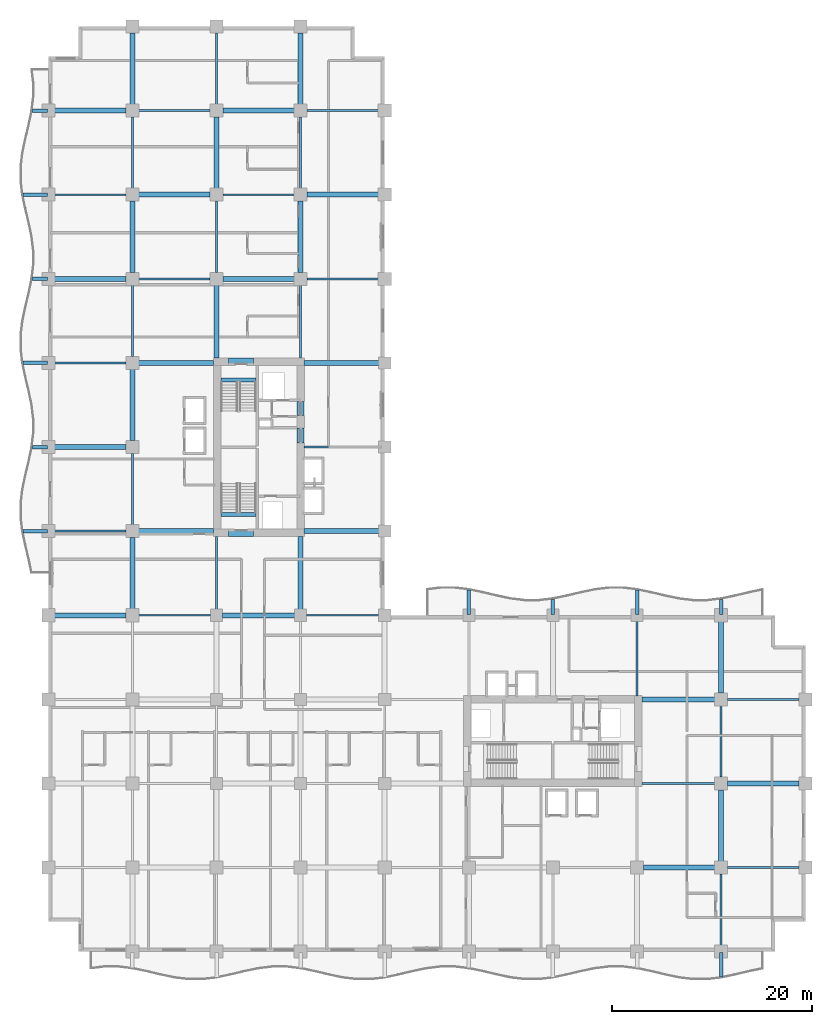
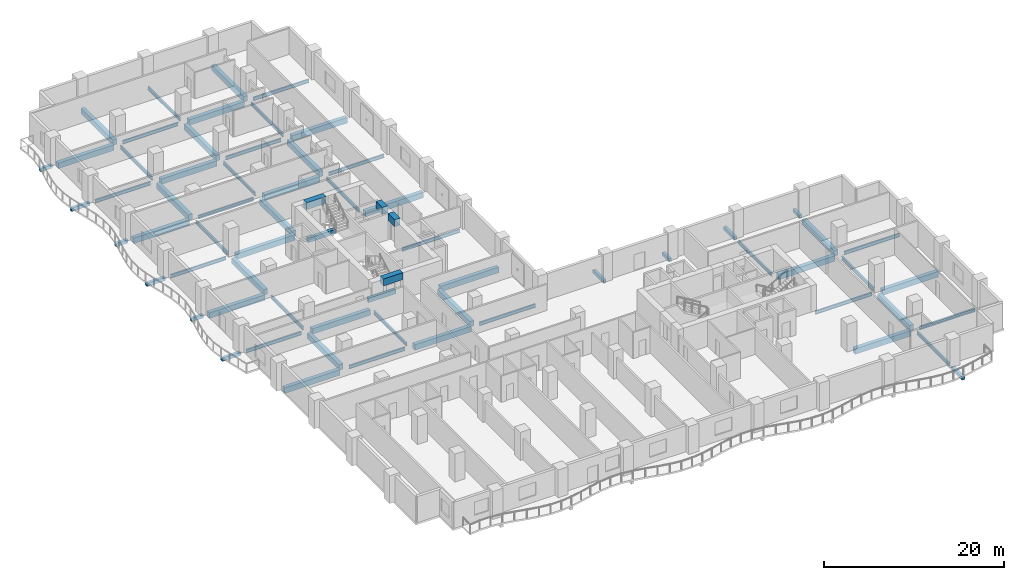
# One storey, part 2 of 17: 69 beams.
"""IFC4 building model written with IfcOpenShell, lengths in metres."""

from ifc_helpers import new_model, si_unit, direction, frame, origin, origin_2d, place, context, subcontext, project, spatial, rectangle, i_section, extrude, material, material_profile, profile_set, type_object, element, save


model = new_model("IFC4")

# Units and contexts
model_context = context("Model", 3, precision=1e-05, world=origin(), true_north=direction((0.0, 1.0)))
body_context = subcontext(model_context, "Body", "Model", "MODEL_VIEW")
ifc_project = project(units=[si_unit("LENGTHUNIT", "METRE"), si_unit("AREAUNIT", "SQUARE_METRE"), si_unit("VOLUMEUNIT", "CUBIC_METRE"), si_unit("PLANEANGLEUNIT", "RADIAN"), si_unit("MASSUNIT", "GRAM", prefix="KILO")], contexts=[model_context])

# Site, building, storey
site_placement = place(None, origin())
site = spatial("IfcSite", under=ifc_project, at=site_placement, CompositionType="ELEMENT")
building_placement = place(site_placement, origin())
building = spatial("IfcBuilding", under=site, at=building_placement, Name="Koriwani Terraces Tower", CompositionType="ELEMENT")
storey_placement = place(building_placement, frame((0.0, 0.0, 130.39990234375)))
storey = spatial("IfcBuildingStorey", under=building, at=storey_placement, Name="L31", CompositionType="ELEMENT", Elevation=130.39990234375)

# Beams
ifc_material_1 = material(Name="Concrete C40/50", Category="concrete")
ifc_material_profile_1 = material_profile(ifc_material_1, rectangle(XDim=0.35009765625, YDim=0.449951171875, at=origin_2d()), Name="Concrete C40/50", Category="LoadBearing")
ifc_profile_set_1 = profile_set([ifc_material_profile_1], Name="Concrete C40/50")
beam_type_1 = type_object("IfcBeamType", Name="BEAM_RC_BALCONY_RIB_350X450", PredefinedType="JOIST", material=ifc_profile_set_1)
for number, where, z_axis, x_axis, name in (
    (1, (67.199951171875, -2.509521484375, -0.474853515625), (0.0, 1.0, 0.0), (-1.0, 0.0, 0.0), "L31 Balcony Bracket Rib S-8"),
    (2, (-2.509521484375, 42.0, -0.474853515625), (1.0, 0.0, 0.0), (0.0, 1.0, 0.0), "L31 Balcony Bracket Rib W-1"),
):
    element("IfcBeam", number, at=place(storey_placement, frame(where, z_axis=z_axis, x_axis=x_axis)), inside=storey, type_object=beam_type_1, Name=name, PredefinedType="JOIST", context=body_context, shape_type="SweptSolid", body=[
        extrude(rectangle(XDim=0.35009765625, YDim=0.449951171875, at=origin_2d()), origin(), (0.0, 0.0, 1.0), 2.409423828125),
    ])
beam_1_placement = place(storey_placement, frame((-1.59033203125, 50.39990234375, -0.474853515625), z_axis=(1.0, 0.0, 0.0), x_axis=(0.0, 1.0, 0.0)))
element("IfcBeam", 3, at=beam_1_placement, inside=storey, type_object=beam_type_1, Name="L31 Balcony Bracket Rib W-2", PredefinedType="JOIST", context=body_context, shape_type="SweptSolid", body=[
    extrude(rectangle(XDim=0.35009765625, YDim=0.449951171875, at=origin_2d()), origin(), (0.0, 0.0, 1.0), 1.490234375),
])
beam_2_placement = place(storey_placement, frame((-2.509521484375, 58.800048828125, -0.474853515625), z_axis=(1.0, 0.0, 0.0), x_axis=(0.0, 1.0, 0.0)))
element("IfcBeam", 4, at=beam_2_placement, inside=storey, type_object=beam_type_1, Name="L31 Balcony Bracket Rib W-3", PredefinedType="JOIST", context=body_context, shape_type="SweptSolid", body=[
    extrude(rectangle(XDim=0.35009765625, YDim=0.449951171875, at=origin_2d()), origin(), (0.0, 0.0, 1.0), 2.409423828125),
])
beam_3_placement = place(storey_placement, frame((-1.59033203125, 67.199951171875, -0.474853515625), z_axis=(1.0, 0.0, 0.0), x_axis=(0.0, 1.0, 0.0)))
element("IfcBeam", 5, at=beam_3_placement, inside=storey, type_object=beam_type_1, Name="L31 Balcony Bracket Rib W-4", PredefinedType="JOIST", context=body_context, shape_type="SweptSolid", body=[
    extrude(rectangle(XDim=0.35009765625, YDim=0.449951171875, at=origin_2d()), origin(), (0.0, 0.0, 1.0), 1.490234375),
])
beam_4_placement = place(storey_placement, frame((-2.509521484375, 75.60009765625, -0.474853515625), z_axis=(1.0, 0.0, 0.0), x_axis=(0.0, 1.0, 0.0)))
element("IfcBeam", 6, at=beam_4_placement, inside=storey, type_object=beam_type_1, Name="L31 Balcony Bracket Rib W-5", PredefinedType="JOIST", context=body_context, shape_type="SweptSolid", body=[
    extrude(rectangle(XDim=0.35009765625, YDim=0.449951171875, at=origin_2d()), origin(), (0.0, 0.0, 1.0), 2.409423828125),
])
beam_5_placement = place(storey_placement, frame((-1.59033203125, 84.0, -0.474853515625), z_axis=(1.0, 0.0, 0.0), x_axis=(0.0, 1.0, 0.0)))
element("IfcBeam", 7, at=beam_5_placement, inside=storey, type_object=beam_type_1, Name="L31 Balcony Bracket Rib W-6", PredefinedType="JOIST", context=body_context, shape_type="SweptSolid", body=[
    extrude(rectangle(XDim=0.35009765625, YDim=0.449951171875, at=origin_2d()), origin(), (0.0, 0.0, 1.0), 1.490234375),
])
beam_6_placement = place(storey_placement, frame((42.0, 33.699951171875, -0.474853515625), z_axis=(0.0, 1.0, 0.0), x_axis=(-1.0, 0.0, 0.0)))
element("IfcBeam", 8, at=beam_6_placement, inside=storey, type_object=beam_type_1, Name="L31 Balcony Bracket Rib NE-1", PredefinedType="JOIST", context=body_context, shape_type="SweptSolid", body=[
    extrude(rectangle(XDim=0.35009765625, YDim=0.449951171875, at=origin_2d()), origin(), (0.0, 0.0, 1.0), 2.40966796875),
])
beam_7_placement = place(storey_placement, frame((50.39990234375, 33.699951171875, -0.474853515625), z_axis=(0.0, 1.0, 0.0), x_axis=(-1.0, 0.0, 0.0)))
element("IfcBeam", 9, at=beam_7_placement, inside=storey, type_object=beam_type_1, Name="L31 Balcony Bracket Rib NE-2", PredefinedType="JOIST", context=body_context, shape_type="SweptSolid", body=[
    extrude(rectangle(XDim=0.35009765625, YDim=0.449951171875, at=origin_2d()), origin(), (0.0, 0.0, 1.0), 1.490478515625),
])
beam_8_placement = place(storey_placement, frame((58.800048828125, 33.699951171875, -0.474853515625), z_axis=(0.0, 1.0, 0.0), x_axis=(-1.0, 0.0, 0.0)))
element("IfcBeam", 10, at=beam_8_placement, inside=storey, type_object=beam_type_1, Name="L31 Balcony Bracket Rib NE-3", PredefinedType="JOIST", context=body_context, shape_type="SweptSolid", body=[
    extrude(rectangle(XDim=0.35009765625, YDim=0.449951171875, at=origin_2d()), origin(), (0.0, 0.0, 1.0), 2.40966796875),
])
beam_9_placement = place(storey_placement, frame((67.199951171875, 33.699951171875, -0.474853515625), z_axis=(0.0, 1.0, 0.0), x_axis=(-1.0, 0.0, 0.0)))
element("IfcBeam", 11, at=beam_9_placement, inside=storey, type_object=beam_type_1, Name="L31 Balcony Bracket Rib NE-4", PredefinedType="JOIST", context=body_context, shape_type="SweptSolid", body=[
    extrude(rectangle(XDim=0.35009765625, YDim=0.449951171875, at=origin_2d()), origin(), (0.0, 0.0, 1.0), 1.490478515625),
])
ifc_material_2 = material(Name="Concrete C60/75", Category="concrete")
ifc_material_profile_2 = material_profile(ifc_material_2, rectangle(XDim=0.699951171875, YDim=0.949951171875, at=origin_2d()), Name="Concrete C60/75", Category="LoadBearing")
ifc_profile_set_2 = profile_set([ifc_material_profile_2], Name="Concrete C60/75")
beam_type_2 = type_object("IfcBeamType", Name="BEAM_RC_COUPLING_700X950", PredefinedType="LINTEL", material=ifc_profile_set_2)
beam_10_placement = place(storey_placement, frame((25.199951171875, 50.800048828125, 3.0751953125), z_axis=(0.0, 1.0, 0.0), x_axis=(-1.0, 0.0, 0.0)))
element("IfcBeam", 12, at=beam_10_placement, inside=storey, type_object=beam_type_2, Name="L31 Core Coupling Lintel Beam WE1", PredefinedType="LINTEL", context=body_context, shape_type="SweptSolid", body=[
    extrude(rectangle(XDim=0.699951171875, YDim=0.949951171875, at=origin_2d()), origin(), (0.0, 0.0, 1.0), 1.47998046875),
])
beam_11_placement = place(storey_placement, frame((25.199951171875, 53.550048828125, 3.0751953125), z_axis=(0.0, 1.0, 0.0), x_axis=(-1.0, 0.0, 0.0)))
element("IfcBeam", 13, at=beam_11_placement, inside=storey, type_object=beam_type_2, Name="L31 Core Coupling Lintel Beam WE2", PredefinedType="LINTEL", context=body_context, shape_type="SweptSolid", body=[
    extrude(rectangle(XDim=0.699951171875, YDim=0.949951171875, at=origin_2d()), origin(), (0.0, 0.0, 1.0), 1.39990234375),
])
for number, where, z_axis, x_axis, name in (
    (14, (18.0, 41.824951171875, 3.0751953125), (1.0, 0.0, 0.0), (0.0, 1.0, 0.0), "L31 Core Coupling Lintel Beam WS"),
    (15, (18.0, 58.925048828125, 3.0751953125), (1.0, 0.0, 0.0), (0.0, 1.0, 0.0), "L31 Core Coupling Lintel Beam WN"),
):
    element("IfcBeam", number, at=place(storey_placement, frame(where, z_axis=z_axis, x_axis=x_axis)), inside=storey, type_object=beam_type_2, Name=name, PredefinedType="LINTEL", context=body_context, shape_type="SweptSolid", body=[
        extrude(rectangle(XDim=0.699951171875, YDim=0.949951171875, at=origin_2d()), origin(), (0.0, 0.0, 1.0), 2.5),
    ])
ifc_material_profile_3 = material_profile(ifc_material_1, rectangle(XDim=0.39990234375, YDim=0.60009765625, at=origin_2d()), Name="Concrete C40/50", Category="LoadBearing")
ifc_profile_set_3 = profile_set([ifc_material_profile_3], Name="Concrete C40/50")
beam_type_3 = type_object("IfcBeamType", Name="BEAM_RC_GRID_400X600", PredefinedType="BEAM", material=ifc_profile_set_3)
for number, where, z_axis, x_axis, name in (
    (16, (17.25, 43.655029296875, -0.2998046875), (1.0, 0.0, 0.0), (0.0, 1.0, 0.0), "L31 Stairwell Header Trimmer Beam ST-W1"),
    (17, (17.25, 57.094970703125, -0.2998046875), (1.0, 0.0, 0.0), (0.0, 1.0, 0.0), "L31 Stairwell Header Trimmer Beam ST-W2"),
):
    element("IfcBeam", number, at=place(storey_placement, frame(where, z_axis=z_axis, x_axis=x_axis)), inside=storey, type_object=beam_type_3, Name=name, PredefinedType="BEAM", context=body_context, shape_type="SweptSolid", body=[
        extrude(rectangle(XDim=0.39990234375, YDim=0.60009765625, at=origin_2d()), origin(), (0.0, 0.0, 1.0), 3.5),
    ])
ifc_material_3 = material(Name="Concrete C50/60", Category="concrete")
ifc_material_profile_4 = material_profile(ifc_material_3, rectangle(XDim=0.5, YDim=0.75, at=origin_2d()), Name="Concrete C50/60", Category="LoadBearing")
ifc_profile_set_4 = profile_set([ifc_material_profile_4], Name="Concrete C50/60")
beam_type_4 = type_object("IfcBeamType", Name="BEAM_RC_GRID_500X750", PredefinedType="BEAM", material=ifc_profile_set_4)
beam_12_placement = place(storey_placement, frame((59.429931640625, 8.39990234375, -0.625), z_axis=(1.0, 0.0, 0.0), x_axis=(0.0, 1.0, 0.0)))
element("IfcBeam", 18, at=beam_12_placement, inside=storey, type_object=beam_type_4, Name="L31 Grid Beam B (58.8-67.2m)", PredefinedType="BEAM", context=body_context, shape_type="SweptSolid", body=[
    extrude(rectangle(XDim=0.5, YDim=0.75, at=origin_2d()), origin(), (0.0, 0.0, 1.0), 7.14013671875),
])
beam_13_placement = place(storey_placement, frame((67.830078125, 16.800048828125, -0.625), z_axis=(1.0, 0.0, 0.0), x_axis=(0.0, 1.0, 0.0)))
element("IfcBeam", 19, at=beam_13_placement, inside=storey, type_object=beam_type_4, Name="L31 Grid Beam C (67.2-75.6m)", PredefinedType="BEAM", context=body_context, shape_type="SweptSolid", body=[
    extrude(rectangle(XDim=0.5, YDim=0.75, at=origin_2d()), origin(), (0.0, 0.0, 1.0), 7.139892578125),
])
beam_14_placement = place(storey_placement, frame((59.280029296875, 25.199951171875, -0.625), z_axis=(1.0, 0.0, 0.0), x_axis=(0.0, 1.0, 0.0)))
element("IfcBeam", 20, at=beam_14_placement, inside=storey, type_object=beam_type_4, Name="L31 Grid Beam D (58.8-67.2m)", PredefinedType="BEAM", context=body_context, shape_type="SweptSolid", body=[
    extrude(rectangle(XDim=0.5, YDim=0.75, at=origin_2d()), origin(), (0.0, 0.0, 1.0), 7.2900390625),
])
beam_15_placement = place(storey_placement, frame((0.6298828125, 33.60009765625, -0.625), z_axis=(1.0, 0.0, 0.0), x_axis=(0.0, 1.0, 0.0)))
element("IfcBeam", 21, at=beam_15_placement, inside=storey, type_object=beam_type_4, Name="L31 Grid Beam E (0.0-8.4m)", PredefinedType="BEAM", context=body_context, shape_type="SweptSolid", body=[
    extrude(rectangle(XDim=0.5, YDim=0.75, at=origin_2d()), origin(), (0.0, 0.0, 1.0), 7.14013671875),
])
beam_16_placement = place(storey_placement, frame((17.3798828125, 33.60009765625, -0.625), z_axis=(1.0, 0.0, 0.0), x_axis=(0.0, 1.0, 0.0)))
element("IfcBeam", 22, at=beam_16_placement, inside=storey, type_object=beam_type_4, Name="L31 Grid Beam E (16.8-25.2m)", PredefinedType="BEAM", context=body_context, shape_type="SweptSolid", body=[
    extrude(rectangle(XDim=0.5, YDim=0.75, at=origin_2d()), origin(), (0.0, 0.0, 1.0), 7.240234375),
])
beam_17_placement = place(storey_placement, frame((9.030029296875, 42.0, -0.625), z_axis=(1.0, 0.0, 0.0), x_axis=(0.0, 1.0, 0.0)))
element("IfcBeam", 23, at=beam_17_placement, inside=storey, type_object=beam_type_4, Name="L31 Grid Beam F (8.4-16.8m)", PredefinedType="BEAM", context=body_context, shape_type="SweptSolid", body=[
    extrude(rectangle(XDim=0.5, YDim=0.75, at=origin_2d()), origin(), (0.0, 0.0, 1.0), 7.489990234375),
])
beam_18_placement = place(storey_placement, frame((25.554931640625, 42.0, -0.625), z_axis=(1.0, 0.0, 0.0), x_axis=(0.0, 1.0, 0.0)))
element("IfcBeam", 24, at=beam_18_placement, inside=storey, type_object=beam_type_4, Name="L31 Grid Beam F (25.2-33.6m)", PredefinedType="BEAM", context=body_context, shape_type="SweptSolid", body=[
    extrude(rectangle(XDim=0.5, YDim=0.75, at=origin_2d()), origin(), (0.0, 0.0, 1.0), 7.465087890625),
])
beam_19_placement = place(storey_placement, frame((0.6298828125, 50.39990234375, -0.625), z_axis=(1.0, 0.0, 0.0), x_axis=(0.0, 1.0, 0.0)))
element("IfcBeam", 25, at=beam_19_placement, inside=storey, type_object=beam_type_4, Name="L31 Grid Beam G (0.0-8.4m)", PredefinedType="BEAM", context=body_context, shape_type="SweptSolid", body=[
    extrude(rectangle(XDim=0.5, YDim=0.75, at=origin_2d()), origin(), (0.0, 0.0, 1.0), 7.14013671875),
])
beam_20_placement = place(storey_placement, frame((9.030029296875, 58.800048828125, -0.625), z_axis=(1.0, 0.0, 0.0), x_axis=(0.0, 1.0, 0.0)))
element("IfcBeam", 26, at=beam_20_placement, inside=storey, type_object=beam_type_4, Name="L31 Grid Beam H (8.4-16.8m)", PredefinedType="BEAM", context=body_context, shape_type="SweptSolid", body=[
    extrude(rectangle(XDim=0.5, YDim=0.75, at=origin_2d()), origin(), (0.0, 0.0, 1.0), 7.489990234375),
])
beam_21_placement = place(storey_placement, frame((25.554931640625, 58.800048828125, -0.625), z_axis=(1.0, 0.0, 0.0), x_axis=(0.0, 1.0, 0.0)))
element("IfcBeam", 27, at=beam_21_placement, inside=storey, type_object=beam_type_4, Name="L31 Grid Beam H (25.2-33.6m)", PredefinedType="BEAM", context=body_context, shape_type="SweptSolid", body=[
    extrude(rectangle(XDim=0.5, YDim=0.75, at=origin_2d()), origin(), (0.0, 0.0, 1.0), 7.465087890625),
])
for number, where, z_axis, x_axis, name in (
    (28, (0.6298828125, 67.199951171875, -0.625), (1.0, 0.0, 0.0), (0.0, 1.0, 0.0), "L31 Grid Beam I (0.0-8.4m)"),
    (29, (17.429931640625, 67.199951171875, -0.625), (1.0, 0.0, 0.0), (0.0, 1.0, 0.0), "L31 Grid Beam I (16.8-25.2m)"),
):
    element("IfcBeam", number, at=place(storey_placement, frame(where, z_axis=z_axis, x_axis=x_axis)), inside=storey, type_object=beam_type_4, Name=name, PredefinedType="BEAM", context=body_context, shape_type="SweptSolid", body=[
        extrude(rectangle(XDim=0.5, YDim=0.75, at=origin_2d()), origin(), (0.0, 0.0, 1.0), 7.14013671875),
    ])
for number, where, z_axis, x_axis, name in (
    (30, (9.030029296875, 75.60009765625, -0.625), (1.0, 0.0, 0.0), (0.0, 1.0, 0.0), "L31 Grid Beam J (8.4-16.8m)"),
    (31, (25.830078125, 75.60009765625, -0.625), (1.0, 0.0, 0.0), (0.0, 1.0, 0.0), "L31 Grid Beam J (25.2-33.6m)"),
):
    element("IfcBeam", number, at=place(storey_placement, frame(where, z_axis=z_axis, x_axis=x_axis)), inside=storey, type_object=beam_type_4, Name=name, PredefinedType="BEAM", context=body_context, shape_type="SweptSolid", body=[
        extrude(rectangle(XDim=0.5, YDim=0.75, at=origin_2d()), origin(), (0.0, 0.0, 1.0), 7.139892578125),
    ])
for number, where, z_axis, x_axis, name in (
    (32, (0.6298828125, 84.0, -0.625), (1.0, 0.0, 0.0), (0.0, 1.0, 0.0), "L31 Grid Beam K (0.0-8.4m)"),
    (33, (17.429931640625, 84.0, -0.625), (1.0, 0.0, 0.0), (0.0, 1.0, 0.0), "L31 Grid Beam K (16.8-25.2m)"),
    (34, (8.39990234375, 34.22998046875, -0.625), (0.0, 1.0, 0.0), (-1.0, 0.0, 0.0), "L31 Grid Beam 2 (33.6-42.0m)"),
):
    element("IfcBeam", number, at=place(storey_placement, frame(where, z_axis=z_axis, x_axis=x_axis)), inside=storey, type_object=beam_type_4, Name=name, PredefinedType="BEAM", context=body_context, shape_type="SweptSolid", body=[
        extrude(rectangle(XDim=0.5, YDim=0.75, at=origin_2d()), origin(), (0.0, 0.0, 1.0), 7.14013671875),
    ])
for number, where, z_axis, x_axis, name in (
    (35, (8.39990234375, 51.030029296875, -0.625), (0.0, 1.0, 0.0), (-1.0, 0.0, 0.0), "L31 Grid Beam 2 (50.4-58.8m)"),
    (36, (8.39990234375, 67.830078125, -0.625), (0.0, 1.0, 0.0), (-1.0, 0.0, 0.0), "L31 Grid Beam 2 (67.2-75.6m)"),
):
    element("IfcBeam", number, at=place(storey_placement, frame(where, z_axis=z_axis, x_axis=x_axis)), inside=storey, type_object=beam_type_4, Name=name, PredefinedType="BEAM", context=body_context, shape_type="SweptSolid", body=[
        extrude(rectangle(XDim=0.5, YDim=0.75, at=origin_2d()), origin(), (0.0, 0.0, 1.0), 7.139892578125),
    ])
beam_22_placement = place(storey_placement, frame((8.39990234375, 84.6298828125, -0.625), z_axis=(0.0, 1.0, 0.0), x_axis=(-1.0, 0.0, 0.0)))
element("IfcBeam", 37, at=beam_22_placement, inside=storey, type_object=beam_type_4, Name="L31 Grid Beam 2 (84.0-92.4m)", PredefinedType="BEAM", context=body_context, shape_type="SweptSolid", body=[
    extrude(rectangle(XDim=0.5, YDim=0.75, at=origin_2d()), origin(), (0.0, 0.0, 1.0), 7.14013671875),
])
beam_23_placement = place(storey_placement, frame((16.800048828125, 59.280029296875, -0.625), z_axis=(0.0, 1.0, 0.0), x_axis=(-1.0, 0.0, 0.0)))
element("IfcBeam", 38, at=beam_23_placement, inside=storey, type_object=beam_type_4, Name="L31 Grid Beam 3 (58.8-67.2m)", PredefinedType="BEAM", context=body_context, shape_type="SweptSolid", body=[
    extrude(rectangle(XDim=0.5, YDim=0.75, at=origin_2d()), origin(), (0.0, 0.0, 1.0), 7.2900390625),
])
beam_24_placement = place(storey_placement, frame((16.800048828125, 76.22998046875, -0.625), z_axis=(0.0, 1.0, 0.0), x_axis=(-1.0, 0.0, 0.0)))
element("IfcBeam", 39, at=beam_24_placement, inside=storey, type_object=beam_type_4, Name="L31 Grid Beam 3 (75.6-84.0m)", PredefinedType="BEAM", context=body_context, shape_type="SweptSolid", body=[
    extrude(rectangle(XDim=0.5, YDim=0.75, at=origin_2d()), origin(), (0.0, 0.0, 1.0), 7.14013671875),
])
beam_25_placement = place(storey_placement, frame((25.199951171875, 34.179931640625, -0.625), z_axis=(0.0, 1.0, 0.0), x_axis=(-1.0, 0.0, 0.0)))
element("IfcBeam", 40, at=beam_25_placement, inside=storey, type_object=beam_type_4, Name="L31 Grid Beam 4 (33.6-42.0m)", PredefinedType="BEAM", context=body_context, shape_type="SweptSolid", body=[
    extrude(rectangle(XDim=0.5, YDim=0.75, at=origin_2d()), origin(), (0.0, 0.0, 1.0), 7.2900390625),
])
beam_26_placement = place(storey_placement, frame((25.199951171875, 67.830078125, -0.625), z_axis=(0.0, 1.0, 0.0), x_axis=(-1.0, 0.0, 0.0)))
element("IfcBeam", 41, at=beam_26_placement, inside=storey, type_object=beam_type_4, Name="L31 Grid Beam 4 (67.2-75.6m)", PredefinedType="BEAM", context=body_context, shape_type="SweptSolid", body=[
    extrude(rectangle(XDim=0.5, YDim=0.75, at=origin_2d()), origin(), (0.0, 0.0, 1.0), 7.139892578125),
])
beam_27_placement = place(storey_placement, frame((25.199951171875, 84.6298828125, -0.625), z_axis=(0.0, 1.0, 0.0), x_axis=(-1.0, 0.0, 0.0)))
element("IfcBeam", 42, at=beam_27_placement, inside=storey, type_object=beam_type_4, Name="L31 Grid Beam 4 (84.0-92.4m)", PredefinedType="BEAM", context=body_context, shape_type="SweptSolid", body=[
    extrude(rectangle(XDim=0.5, YDim=0.75, at=origin_2d()), origin(), (0.0, 0.0, 1.0), 7.14013671875),
])
for number, where, z_axis, x_axis, name in (
    (43, (67.199951171875, 9.030029296875, -0.625), (0.0, 1.0, 0.0), (-1.0, 0.0, 0.0), "L31 Grid Beam 9 (8.4-16.8m)"),
    (44, (67.199951171875, 25.830078125, -0.625), (0.0, 1.0, 0.0), (-1.0, 0.0, 0.0), "L31 Grid Beam 9 (25.2-33.6m)"),
):
    element("IfcBeam", number, at=place(storey_placement, frame(where, z_axis=z_axis, x_axis=x_axis)), inside=storey, type_object=beam_type_4, Name=name, PredefinedType="BEAM", context=body_context, shape_type="SweptSolid", body=[
        extrude(rectangle(XDim=0.5, YDim=0.75, at=origin_2d()), origin(), (0.0, 0.0, 1.0), 7.139892578125),
    ])
ifc_material_4 = material(Name="Steel ASTM A572 Grade 50", Category="steel")
ifc_material_profile_5 = material_profile(ifc_material_4, i_section(OverallWidth=0.19189453125, OverallDepth=0.462890625, WebThickness=0.010498046875, FlangeThickness=0.01611328125, at=origin_2d()), Name="Steel ASTM A572 Grade 50", Category="LoadBearing")
ifc_profile_set_5 = profile_set([ifc_material_profile_5], Name="Steel ASTM A572 Grade 50")
beam_type_5 = type_object("IfcBeamType", Name="STEEL_BEAM_W460X89", PredefinedType="BEAM", material=ifc_profile_set_5)
beam_28_placement = place(storey_placement, frame((67.830078125, 8.39990234375, -0.4814453125), z_axis=(1.0, 0.0, 0.0), x_axis=(0.0, 1.0, 0.0)))
element("IfcBeam", 45, at=beam_28_placement, inside=storey, type_object=beam_type_5, Name="L31 Grid Beam B (67.2-75.6m)", PredefinedType="BEAM", context=body_context, shape_type="SweptSolid", body=[
    extrude(i_section(OverallWidth=0.19189453125, OverallDepth=0.462890625, WebThickness=0.010498046875, FlangeThickness=0.01611328125, at=origin_2d()), origin(), (0.0, 0.0, 1.0), 7.139892578125),
])
beam_29_placement = place(storey_placement, frame((59.280029296875, 16.800048828125, -0.4814453125), z_axis=(1.0, 0.0, 0.0), x_axis=(0.0, 1.0, 0.0)))
element("IfcBeam", 46, at=beam_29_placement, inside=storey, type_object=beam_type_5, Name="L31 Grid Beam C (58.8-67.2m)", PredefinedType="BEAM", context=body_context, shape_type="SweptSolid", body=[
    extrude(i_section(OverallWidth=0.19189453125, OverallDepth=0.462890625, WebThickness=0.010498046875, FlangeThickness=0.01611328125, at=origin_2d()), origin(), (0.0, 0.0, 1.0), 7.2900390625),
])
beam_30_placement = place(storey_placement, frame((67.830078125, 25.199951171875, -0.4814453125), z_axis=(1.0, 0.0, 0.0), x_axis=(0.0, 1.0, 0.0)))
element("IfcBeam", 47, at=beam_30_placement, inside=storey, type_object=beam_type_5, Name="L31 Grid Beam D (67.2-75.6m)", PredefinedType="BEAM", context=body_context, shape_type="SweptSolid", body=[
    extrude(i_section(OverallWidth=0.19189453125, OverallDepth=0.462890625, WebThickness=0.010498046875, FlangeThickness=0.01611328125, at=origin_2d()), origin(), (0.0, 0.0, 1.0), 7.139892578125),
])
beam_31_placement = place(storey_placement, frame((9.030029296875, 33.60009765625, -0.4814453125), z_axis=(1.0, 0.0, 0.0), x_axis=(0.0, 1.0, 0.0)))
element("IfcBeam", 48, at=beam_31_placement, inside=storey, type_object=beam_type_5, Name="L31 Grid Beam E (8.4-16.8m)", PredefinedType="BEAM", context=body_context, shape_type="SweptSolid", body=[
    extrude(i_section(OverallWidth=0.19189453125, OverallDepth=0.462890625, WebThickness=0.010498046875, FlangeThickness=0.01611328125, at=origin_2d()), origin(), (0.0, 0.0, 1.0), 7.18994140625),
])
beam_32_placement = place(storey_placement, frame((25.780029296875, 33.60009765625, -0.4814453125), z_axis=(1.0, 0.0, 0.0), x_axis=(0.0, 1.0, 0.0)))
element("IfcBeam", 49, at=beam_32_placement, inside=storey, type_object=beam_type_5, Name="L31 Grid Beam E (25.2-33.6m)", PredefinedType="BEAM", context=body_context, shape_type="SweptSolid", body=[
    extrude(i_section(OverallWidth=0.19189453125, OverallDepth=0.462890625, WebThickness=0.010498046875, FlangeThickness=0.01611328125, at=origin_2d()), origin(), (0.0, 0.0, 1.0), 7.239990234375),
])
beam_33_placement = place(storey_placement, frame((0.6298828125, 42.0, -0.4814453125), z_axis=(1.0, 0.0, 0.0), x_axis=(0.0, 1.0, 0.0)))
element("IfcBeam", 50, at=beam_33_placement, inside=storey, type_object=beam_type_5, Name="L31 Grid Beam F (0.0-8.4m)", PredefinedType="BEAM", context=body_context, shape_type="SweptSolid", body=[
    extrude(i_section(OverallWidth=0.19189453125, OverallDepth=0.462890625, WebThickness=0.010498046875, FlangeThickness=0.01611328125, at=origin_2d()), origin(), (0.0, 0.0, 1.0), 7.14013671875),
])
beam_34_placement = place(storey_placement, frame((25.554931640625, 50.39990234375, -0.4814453125), z_axis=(1.0, 0.0, 0.0), x_axis=(0.0, 1.0, 0.0)))
element("IfcBeam", 51, at=beam_34_placement, inside=storey, type_object=beam_type_5, Name="L31 Grid Beam G (25.2-33.6m)", PredefinedType="BEAM", context=body_context, shape_type="SweptSolid", body=[
    extrude(i_section(OverallWidth=0.19189453125, OverallDepth=0.462890625, WebThickness=0.010498046875, FlangeThickness=0.01611328125, at=origin_2d()), origin(), (0.0, 0.0, 1.0), 7.465087890625),
])
beam_35_placement = place(storey_placement, frame((0.6298828125, 58.800048828125, -0.4814453125), z_axis=(1.0, 0.0, 0.0), x_axis=(0.0, 1.0, 0.0)))
element("IfcBeam", 52, at=beam_35_placement, inside=storey, type_object=beam_type_5, Name="L31 Grid Beam H (0.0-8.4m)", PredefinedType="BEAM", context=body_context, shape_type="SweptSolid", body=[
    extrude(i_section(OverallWidth=0.19189453125, OverallDepth=0.462890625, WebThickness=0.010498046875, FlangeThickness=0.01611328125, at=origin_2d()), origin(), (0.0, 0.0, 1.0), 7.14013671875),
])
for number, where, z_axis, x_axis, name in (
    (53, (9.030029296875, 67.199951171875, -0.4814453125), (1.0, 0.0, 0.0), (0.0, 1.0, 0.0), "L31 Grid Beam I (8.4-16.8m)"),
    (54, (25.830078125, 67.199951171875, -0.4814453125), (1.0, 0.0, 0.0), (0.0, 1.0, 0.0), "L31 Grid Beam I (25.2-33.6m)"),
):
    element("IfcBeam", number, at=place(storey_placement, frame(where, z_axis=z_axis, x_axis=x_axis)), inside=storey, type_object=beam_type_5, Name=name, PredefinedType="BEAM", context=body_context, shape_type="SweptSolid", body=[
        extrude(i_section(OverallWidth=0.19189453125, OverallDepth=0.462890625, WebThickness=0.010498046875, FlangeThickness=0.01611328125, at=origin_2d()), origin(), (0.0, 0.0, 1.0), 7.139892578125),
    ])
for number, where, z_axis, x_axis, name in (
    (55, (0.6298828125, 75.60009765625, -0.4814453125), (1.0, 0.0, 0.0), (0.0, 1.0, 0.0), "L31 Grid Beam J (0.0-8.4m)"),
    (56, (17.429931640625, 75.60009765625, -0.4814453125), (1.0, 0.0, 0.0), (0.0, 1.0, 0.0), "L31 Grid Beam J (16.8-25.2m)"),
):
    element("IfcBeam", number, at=place(storey_placement, frame(where, z_axis=z_axis, x_axis=x_axis)), inside=storey, type_object=beam_type_5, Name=name, PredefinedType="BEAM", context=body_context, shape_type="SweptSolid", body=[
        extrude(i_section(OverallWidth=0.19189453125, OverallDepth=0.462890625, WebThickness=0.010498046875, FlangeThickness=0.01611328125, at=origin_2d()), origin(), (0.0, 0.0, 1.0), 7.14013671875),
    ])
for number, where, z_axis, x_axis, name in (
    (57, (9.030029296875, 84.0, -0.4814453125), (1.0, 0.0, 0.0), (0.0, 1.0, 0.0), "L31 Grid Beam K (8.4-16.8m)"),
    (58, (25.830078125, 84.0, -0.4814453125), (1.0, 0.0, 0.0), (0.0, 1.0, 0.0), "L31 Grid Beam K (25.2-33.6m)"),
):
    element("IfcBeam", number, at=place(storey_placement, frame(where, z_axis=z_axis, x_axis=x_axis)), inside=storey, type_object=beam_type_5, Name=name, PredefinedType="BEAM", context=body_context, shape_type="SweptSolid", body=[
        extrude(i_section(OverallWidth=0.19189453125, OverallDepth=0.462890625, WebThickness=0.010498046875, FlangeThickness=0.01611328125, at=origin_2d()), origin(), (0.0, 0.0, 1.0), 7.139892578125),
    ])
for number, where, z_axis, x_axis, name in (
    (59, (8.39990234375, 42.6298828125, -0.4814453125), (0.0, 1.0, 0.0), (-1.0, 0.0, 0.0), "L31 Grid Beam 2 (42.0-50.4m)"),
    (60, (8.39990234375, 59.429931640625, -0.4814453125), (0.0, 1.0, 0.0), (-1.0, 0.0, 0.0), "L31 Grid Beam 2 (58.8-67.2m)"),
    (61, (8.39990234375, 76.22998046875, -0.4814453125), (0.0, 1.0, 0.0), (-1.0, 0.0, 0.0), "L31 Grid Beam 2 (75.6-84.0m)"),
):
    element("IfcBeam", number, at=place(storey_placement, frame(where, z_axis=z_axis, x_axis=x_axis)), inside=storey, type_object=beam_type_5, Name=name, PredefinedType="BEAM", context=body_context, shape_type="SweptSolid", body=[
        extrude(i_section(OverallWidth=0.19189453125, OverallDepth=0.462890625, WebThickness=0.010498046875, FlangeThickness=0.01611328125, at=origin_2d()), origin(), (0.0, 0.0, 1.0), 7.14013671875),
    ])
beam_36_placement = place(storey_placement, frame((16.800048828125, 34.179931640625, -0.4814453125), z_axis=(0.0, 1.0, 0.0), x_axis=(-1.0, 0.0, 0.0)))
element("IfcBeam", 62, at=beam_36_placement, inside=storey, type_object=beam_type_5, Name="L31 Grid Beam 3 (33.6-42.0m)", PredefinedType="BEAM", context=body_context, shape_type="SweptSolid", body=[
    extrude(i_section(OverallWidth=0.19189453125, OverallDepth=0.462890625, WebThickness=0.010498046875, FlangeThickness=0.01611328125, at=origin_2d()), origin(), (0.0, 0.0, 1.0), 7.2900390625),
])
beam_37_placement = place(storey_placement, frame((16.800048828125, 67.830078125, -0.4814453125), z_axis=(0.0, 1.0, 0.0), x_axis=(-1.0, 0.0, 0.0)))
element("IfcBeam", 63, at=beam_37_placement, inside=storey, type_object=beam_type_5, Name="L31 Grid Beam 3 (67.2-75.6m)", PredefinedType="BEAM", context=body_context, shape_type="SweptSolid", body=[
    extrude(i_section(OverallWidth=0.19189453125, OverallDepth=0.462890625, WebThickness=0.010498046875, FlangeThickness=0.01611328125, at=origin_2d()), origin(), (0.0, 0.0, 1.0), 7.139892578125),
])
beam_38_placement = place(storey_placement, frame((16.800048828125, 84.6298828125, -0.4814453125), z_axis=(0.0, 1.0, 0.0), x_axis=(-1.0, 0.0, 0.0)))
element("IfcBeam", 64, at=beam_38_placement, inside=storey, type_object=beam_type_5, Name="L31 Grid Beam 3 (84.0-92.4m)", PredefinedType="BEAM", context=body_context, shape_type="SweptSolid", body=[
    extrude(i_section(OverallWidth=0.19189453125, OverallDepth=0.462890625, WebThickness=0.010498046875, FlangeThickness=0.01611328125, at=origin_2d()), origin(), (0.0, 0.0, 1.0), 7.14013671875),
])
beam_39_placement = place(storey_placement, frame((25.199951171875, 59.280029296875, -0.4814453125), z_axis=(0.0, 1.0, 0.0), x_axis=(-1.0, 0.0, 0.0)))
element("IfcBeam", 65, at=beam_39_placement, inside=storey, type_object=beam_type_5, Name="L31 Grid Beam 4 (58.8-67.2m)", PredefinedType="BEAM", context=body_context, shape_type="SweptSolid", body=[
    extrude(i_section(OverallWidth=0.19189453125, OverallDepth=0.462890625, WebThickness=0.010498046875, FlangeThickness=0.01611328125, at=origin_2d()), origin(), (0.0, 0.0, 1.0), 7.2900390625),
])
beam_40_placement = place(storey_placement, frame((25.199951171875, 76.22998046875, -0.4814453125), z_axis=(0.0, 1.0, 0.0), x_axis=(-1.0, 0.0, 0.0)))
element("IfcBeam", 66, at=beam_40_placement, inside=storey, type_object=beam_type_5, Name="L31 Grid Beam 4 (75.6-84.0m)", PredefinedType="BEAM", context=body_context, shape_type="SweptSolid", body=[
    extrude(i_section(OverallWidth=0.19189453125, OverallDepth=0.462890625, WebThickness=0.010498046875, FlangeThickness=0.01611328125, at=origin_2d()), origin(), (0.0, 0.0, 1.0), 7.14013671875),
])
beam_41_placement = place(storey_placement, frame((58.800048828125, 25.554931640625, -0.4814453125), z_axis=(0.0, 1.0, 0.0), x_axis=(-1.0, 0.0, 0.0)))
element("IfcBeam", 67, at=beam_41_placement, inside=storey, type_object=beam_type_5, Name="L31 Grid Beam 8 (25.2-33.6m)", PredefinedType="BEAM", context=body_context, shape_type="SweptSolid", body=[
    extrude(i_section(OverallWidth=0.19189453125, OverallDepth=0.462890625, WebThickness=0.010498046875, FlangeThickness=0.01611328125, at=origin_2d()), origin(), (0.0, 0.0, 1.0), 7.465087890625),
])
for number, where, z_axis, x_axis, name in (
    (68, (67.199951171875, 0.6298828125, -0.4814453125), (0.0, 1.0, 0.0), (-1.0, 0.0, 0.0), "L31 Grid Beam 9 (0.0-8.4m)"),
    (69, (67.199951171875, 17.429931640625, -0.4814453125), (0.0, 1.0, 0.0), (-1.0, 0.0, 0.0), "L31 Grid Beam 9 (16.8-25.2m)"),
):
    element("IfcBeam", number, at=place(storey_placement, frame(where, z_axis=z_axis, x_axis=x_axis)), inside=storey, type_object=beam_type_5, Name=name, PredefinedType="BEAM", context=body_context, shape_type="SweptSolid", body=[
        extrude(i_section(OverallWidth=0.19189453125, OverallDepth=0.462890625, WebThickness=0.010498046875, FlangeThickness=0.01611328125, at=origin_2d()), origin(), (0.0, 0.0, 1.0), 7.14013671875),
    ])

save(model, "model.ifc")
